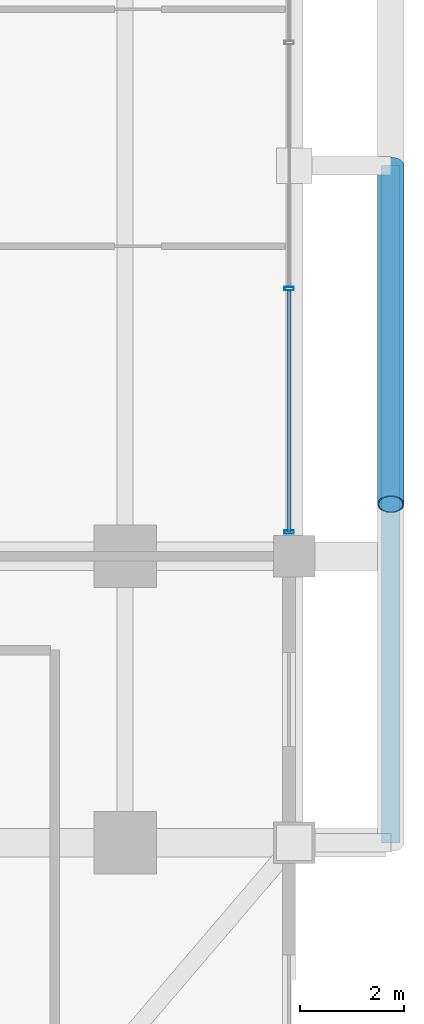
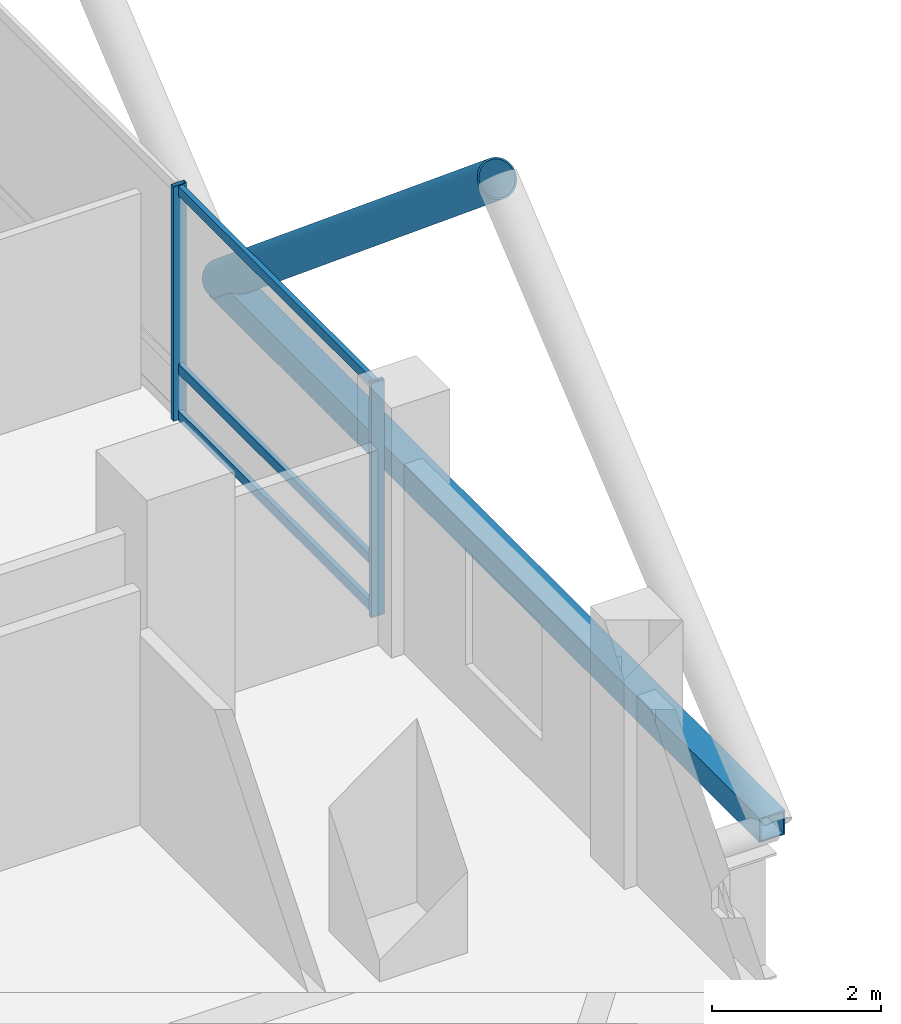
# One storey, part 7 of 21: 7 members, 1 element without a shape of its own.
"""IFC4 building model written with IfcOpenShell, lengths in metres."""

from ifc_helpers import new_model, si_unit, direction, frame, origin, origin_2d, place, context, subcontext, project, spatial, hollow_rectangle, hollow_circle, extrude, material, layer, layer_set, material_profile, profile_set, type_object, element, aggregate, save


model = new_model("IFC4")

# Units and contexts
model_context = context("Model", 3, precision=1e-05, world=origin(), true_north=direction((0.0, 1.0)))
body_context = subcontext(model_context, "Body", "Model", "MODEL_VIEW")
ifc_project = project(units=[si_unit("LENGTHUNIT", "METRE"), si_unit("AREAUNIT", "SQUARE_METRE"), si_unit("VOLUMEUNIT", "CUBIC_METRE"), si_unit("PLANEANGLEUNIT", "RADIAN"), si_unit("MASSUNIT", "GRAM", prefix="KILO")], contexts=[model_context])

# Site, building, storey
site_placement = place(None, origin())
site = spatial("IfcSite", under=ifc_project, at=site_placement, CompositionType="ELEMENT")
building_placement = place(site_placement, origin())
building = spatial("IfcBuilding", under=site, at=building_placement, Name="Barlavira Tower and Art Museum", CompositionType="ELEMENT")
storey_placement = place(building_placement, frame((0.0, 0.0, 99.0)))
storey = spatial("IfcBuildingStorey", under=building, at=storey_placement, Name="L24", CompositionType="ELEMENT", Elevation=99.0)

# Curtain wall, members
ifc_material_1 = material(Name="Low-iron coastal laminated glass", Category="glass")
ifc_layer = layer(ifc_material_1, 0.18994140625, Name="Low-iron coastal laminated glass")
ifc_layer_set = layer_set([ifc_layer], Name="Low-iron coastal laminated glass")
curtain_wall_type = type_object("IfcCurtainWallType", Name="Pale-Metal Unitised Curtain Wall Zone 2", PredefinedType="NOTDEFINED", material=ifc_layer_set)
curtain_wall_placement = place(storey_placement, origin())
curtain_wall = element("IfcCurtainWall", 1, at=curtain_wall_placement, inside=storey, type_object=curtain_wall_type, Name="L24 Curtain Wall CW2-L24-E-B3", PredefinedType="NOTDEFINED")
ifc_material_2 = material(Name="Pale anodised aluminium", Category="aluminium")
ifc_material_profile_1 = material_profile(ifc_material_2, hollow_rectangle(XDim=0.06494140625, YDim=0.179931640625, WallThickness=0.00390625, at=origin_2d()), Name="ALU-MULL 65x180x4")
ifc_profile_set_1 = profile_set([ifc_material_profile_1], Name="Pale anodised aluminium")
member_type_1 = type_object("IfcMemberType", Name="Curtain Wall Pale-Metal Mullion 65x180", PredefinedType="MULLION", material=ifc_profile_set_1)
member_1_placement = place(storey_placement, frame((20.14990234375, -7.034912109375, 0.0), z_axis=(0.0, 0.0, 1.0), x_axis=(0.0, 1.0, 0.0)))
member_1 = element("IfcMember", 2, at=member_1_placement, type_object=member_type_1, Name="CW2-L24-E-B3 Mullion 0", PredefinedType="MULLION", context=body_context, shape_type="SweptSolid", body=[
    extrude(hollow_rectangle(XDim=0.06494140625, YDim=0.179931640625, WallThickness=0.00390625, at=origin_2d()), origin(), (0.0, 0.0, 1.0), 3.3798828125),
])
member_2_placement = place(storey_placement, frame((20.14990234375, -2.360107421875, 0.0), z_axis=(0.0, 0.0, 1.0), x_axis=(0.0, 1.0, 0.0)))
member_2 = element("IfcMember", 3, at=member_2_placement, type_object=member_type_1, Name="CW2-L24-E-B3 Mullion 1", PredefinedType="MULLION", context=body_context, shape_type="SweptSolid", body=[
    extrude(hollow_rectangle(XDim=0.06494140625, YDim=0.179931640625, WallThickness=0.00390625, at=origin_2d()), origin(), (0.0, 0.0, 1.0), 3.3798828125),
])
ifc_material_profile_2 = material_profile(ifc_material_2, hollow_rectangle(XDim=0.06494140625, YDim=0.139892578125, WallThickness=0.00390625, at=origin_2d()), Name="ALU-TRAN 65x140x4")
ifc_profile_set_2 = profile_set([ifc_material_profile_2], Name="Pale anodised aluminium")
member_type_2 = type_object("IfcMemberType", Name="Curtain Wall Pale-Metal Transom 65x140", PredefinedType="USERDEFINED", material=ifc_profile_set_2)
member_3_placement = place(storey_placement, frame((20.14990234375, -7.034912109375, 0.070068359375), z_axis=(0.0, 1.0, 0.0), x_axis=(-1.0, 0.0, 0.0)))
member_3 = element("IfcMember", 4, at=member_3_placement, type_object=member_type_2, Name="CW2-L24-E-B3 Transom 0.1", ObjectType="TRANSOM", PredefinedType="USERDEFINED", context=body_context, shape_type="SweptSolid", body=[
    extrude(hollow_rectangle(XDim=0.06494140625, YDim=0.139892578125, WallThickness=0.00390625, at=origin_2d()), origin(), (0.0, 0.0, 1.0), 4.6298828125),
])
member_4_placement = place(storey_placement, frame((20.14990234375, -7.034912109375, 0.743896484375), z_axis=(0.0, 1.0, 0.0), x_axis=(-1.0, 0.0, 0.0)))
member_4 = element("IfcMember", 5, at=member_4_placement, type_object=member_type_2, Name="CW2-L24-E-B3 Transom 0.2", ObjectType="TRANSOM", PredefinedType="USERDEFINED", context=body_context, shape_type="SweptSolid", body=[
    extrude(hollow_rectangle(XDim=0.06494140625, YDim=0.139892578125, WallThickness=0.00390625, at=origin_2d()), origin(), (0.0, 0.0, 1.0), 4.6298828125),
])
member_5_placement = place(storey_placement, frame((20.14990234375, -7.034912109375, 3.31005859375), z_axis=(0.0, 1.0, 0.0), x_axis=(-1.0, 0.0, 0.0)))
member_5 = element("IfcMember", 6, at=member_5_placement, type_object=member_type_2, Name="CW2-L24-E-B3 Transom 0.3", ObjectType="TRANSOM", PredefinedType="USERDEFINED", context=body_context, shape_type="SweptSolid", body=[
    extrude(hollow_rectangle(XDim=0.06494140625, YDim=0.139892578125, WallThickness=0.00390625, at=origin_2d()), origin(), (0.0, 0.0, 1.0), 4.6298828125),
])
aggregate(curtain_wall, [member_1, member_2, member_3, member_4, member_5])

# Members
ifc_material_3 = material(Name="Steel S355", Category="steel")
ifc_material_profile_3 = material_profile(ifc_material_3, hollow_circle(Radius=0.25390625, WallThickness=0.022216796875, at=origin_2d()), Name="CHS 508.0x22.2")
ifc_profile_set_3 = profile_set([ifc_material_profile_3], Name="Steel S355")
member_type_3 = type_object("IfcMemberType", Name="Pale-Metal Exoskeleton Diagrid Tube CHS 508x22 Steel S355", PredefinedType="BRACE", material=ifc_profile_set_3)
member_6_placement = place(storey_placement, frame((22.10009765625, 0.0, -0.1201171875), z_axis=(0.0, -0.76918185268, 0.639029950399), x_axis=(1.0, 0.0, 0.0)))
element("IfcMember", 7, at=member_6_placement, inside=storey, type_object=member_type_3, Name="L24 Exoskeleton Diagrid Tube E", PredefinedType="BRACE", context=body_context, shape_type="SweptSolid", body=[
    extrude(hollow_circle(Radius=0.25390625, WallThickness=0.022216796875, at=origin_2d()), origin(), (0.0, 0.0, 1.0), 8.450439453125),
])
ifc_material_profile_4 = material_profile(ifc_material_3, hollow_rectangle(XDim=0.35009765625, YDim=0.35009765625, WallThickness=0.02001953125, at=origin_2d()), Name="SHS 350x350x20.0")
ifc_profile_set_4 = profile_set([ifc_material_profile_4], Name="Steel S355")
member_type_4 = type_object("IfcMemberType", Name="Pale-Metal Exoskeleton Ring Strut SHS 350x350x20 Steel S355", PredefinedType="STRUT", material=ifc_profile_set_4)
member_7_placement = place(storey_placement, frame((22.10009765625, -13.0, -0.1201171875), z_axis=(0.0, 1.0, 0.0), x_axis=(-1.0, 0.0, 0.0)))
element("IfcMember", 8, at=member_7_placement, inside=storey, type_object=member_type_4, Name="L24 Exoskeleton Ring Strut E", PredefinedType="STRUT", context=body_context, shape_type="SweptSolid", body=[
    extrude(hollow_rectangle(XDim=0.35009765625, YDim=0.35009765625, WallThickness=0.02001953125, at=origin_2d()), origin(), (0.0, 0.0, 1.0), 13.0),
])

save(model, "model.ifc")
